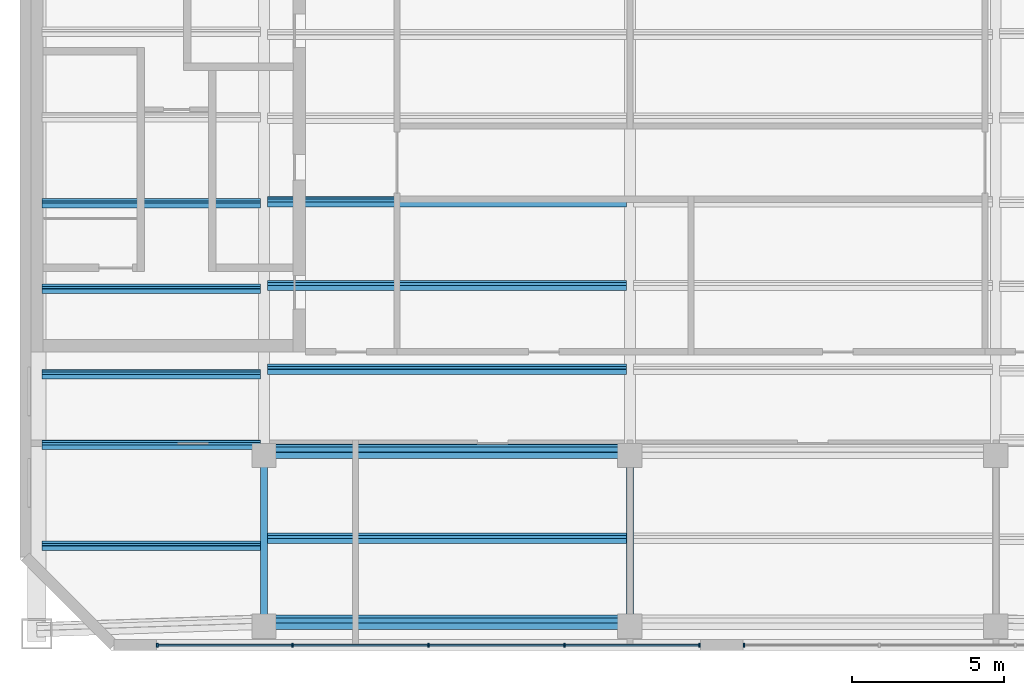
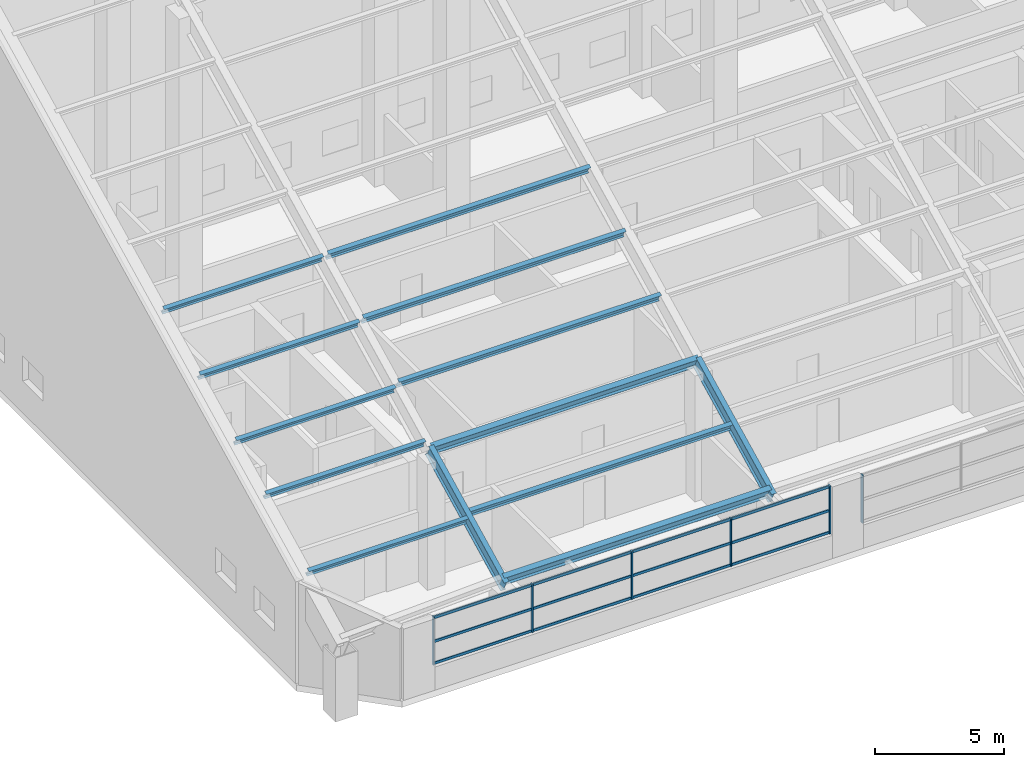
# One storey, part 4 of 28: 31 members, 2 elements without a shape of their own.
"""IFC4 building model written with IfcOpenShell, lengths in metres."""

from ifc_helpers import new_model, si_unit, direction, frame, origin, origin_2d, place, context, subcontext, project, spatial, rectangle, i_section, extrude, material, material_profile, profile_set, type_object, element, aggregate, save


model = new_model("IFC4")

# Units and contexts
model_context = context("Model", 3, precision=1e-05, world=origin(), true_north=direction((0.0, 1.0)))
body_context = subcontext(model_context, "Body", "Model", "MODEL_VIEW")
ifc_project = project(units=[si_unit("LENGTHUNIT", "METRE"), si_unit("AREAUNIT", "SQUARE_METRE"), si_unit("VOLUMEUNIT", "CUBIC_METRE"), si_unit("PLANEANGLEUNIT", "RADIAN"), si_unit("MASSUNIT", "GRAM", prefix="KILO")], contexts=[model_context])

# Site, building, storey
site_placement = place(None, origin())
site = spatial("IfcSite", under=ifc_project, at=site_placement, CompositionType="ELEMENT")
building_placement = place(site_placement, origin())
building = spatial("IfcBuilding", under=site, at=building_placement, Name="Tuart Gate Housing", CompositionType="ELEMENT")
storey_placement = place(building_placement, frame((0.0, 0.0, 243.89990234375)))
storey = spatial("IfcBuildingStorey", under=building, at=storey_placement, Name="L68", CompositionType="ELEMENT", Elevation=243.89990234375)

# Members
ifc_material_1 = material(Name="Steel Grade 350", Category="steel")
ifc_material_profile_1 = material_profile(ifc_material_1, i_section(OverallWidth=0.22900390625, OverallDepth=0.612060546875, WebThickness=0.011962890625, FlangeThickness=0.01953125, at=origin_2d()), Name="610UB125")
ifc_profile_set_1 = profile_set([ifc_material_profile_1], Name="Steel Grade 350")
member_type_1 = type_object("IfcMemberType", Name="Crown purlin 610 UB125 (11.5-13.5 m)", PredefinedType="PURLIN", material=ifc_profile_set_1)
for number, where, z_axis, x_axis, name in (
    (1, (40.0, 54.936767578125, 3.426513671875), (1.0, 0.0, 0.0), (0.0, 0.89442680992, 0.44721435766), "Crown purlin 4"),
    (2, (40.0, 60.536865234375, 6.226318359375), (1.0, 0.0, 0.0), (0.0, 0.89442680992, 0.44721435766), "Crown purlin 16"),
):
    element("IfcMember", number, at=place(storey_placement, frame(where, z_axis=z_axis, x_axis=x_axis)), inside=storey, type_object=member_type_1, Name=name, PredefinedType="PURLIN", context=body_context, shape_type="SweptSolid", body=[
        extrude(i_section(OverallWidth=0.22900390625, OverallDepth=0.612060546875, WebThickness=0.011962890625, FlangeThickness=0.01953125, at=origin_2d()), origin(), (0.0, 0.0, 1.0), 12.0),
    ])
ifc_material_2 = material(Name="Steel Grade 350", Category="steel")
ifc_material_profile_2 = material_profile(ifc_material_2, i_section(OverallWidth=0.22900390625, OverallDepth=0.612060546875, WebThickness=0.011962890625, FlangeThickness=0.01953125, at=origin_2d()), Name="610UB125")
ifc_profile_set_2 = profile_set([ifc_material_profile_2], Name="Steel Grade 350")
member_type_2 = type_object("IfcMemberType", Name="Crown rafter 610 UB125", PredefinedType="RAFTER", material=ifc_profile_set_2)
for number, where, z_axis, x_axis, name in (
    (3, (40.0, 54.6630859375, 3.28955078125), (0.0, 0.89443462622, 0.447198724751), (-1.0, 0.0, 0.0), "Crown rafter 2"),
    (4, (52.0, 54.6630859375, 3.28955078125), (0.0, 0.89443462622, 0.447198724751), (-1.0, 0.0, 0.0), "Crown rafter 5"),
):
    element("IfcMember", number, at=place(storey_placement, frame(where, z_axis=z_axis, x_axis=x_axis)), inside=storey, type_object=member_type_2, Name=name, PredefinedType="RAFTER", context=body_context, shape_type="SweptSolid", body=[
        extrude(i_section(OverallWidth=0.22900390625, OverallDepth=0.612060546875, WebThickness=0.011962890625, FlangeThickness=0.01953125, at=origin_2d()), origin(), (0.0, 0.0, 1.0), 6.567138671875),
    ])
ifc_material_3 = material(Name="Steel Grade 350", Category="steel")
ifc_material_profile_3 = material_profile(ifc_material_3, i_section(OverallWidth=0.1708984375, OverallDepth=0.35205078125, WebThickness=0.0068359375, FlangeThickness=0.009765625, at=origin_2d()), Name="360UB44.7")
ifc_profile_set_3 = profile_set([ifc_material_profile_3], Name="Steel Grade 350")
member_type_3 = type_object("IfcMemberType", Name="Crown secondary purlin 360 UB44.7", PredefinedType="PURLIN", material=ifc_profile_set_3)
for number, where, z_axis, x_axis, name in (
    (5, (32.72509765625, 57.437744140625, 4.822265625), (1.0, 0.0, 0.0), (0.0, 0.89442680992, 0.44721435766), "Crown secondary purlin 7"),
    (6, (32.72509765625, 60.746826171875, 6.476806640625), (1.0, 0.0, 0.0), (0.0, 0.89442680992, 0.44721435766), "Crown secondary purlin 22"),
    (7, (32.72509765625, 63.055908203125, 7.63134765625), (1.0, 0.0, 0.0), (0.0, 0.89442680992, 0.44721435766), "Crown secondary purlin 34"),
    (8, (32.72509765625, 65.864990234375, 9.035888671875), (1.0, 0.0, 0.0), (0.0, 0.89442680992, 0.44721435766), "Crown secondary purlin 43"),
    (9, (32.72509765625, 68.67431640625, 10.4404296875), (1.0, 0.0, 0.0), (0.0, 0.89442680992, 0.44721435766), "Crown secondary purlin 58"),
):
    element("IfcMember", number, at=place(storey_placement, frame(where, z_axis=z_axis, x_axis=x_axis)), inside=storey, type_object=member_type_3, Name=name, PredefinedType="PURLIN", context=body_context, shape_type="SweptSolid", body=[
        extrude(i_section(OverallWidth=0.1708984375, OverallDepth=0.35205078125, WebThickness=0.0068359375, FlangeThickness=0.009765625, at=origin_2d()), origin(), (0.0, 0.0, 1.0), 7.160400390625),
    ])
ifc_material_4 = material(Name="Steel Grade 350", Category="steel")
ifc_material_profile_4 = material_profile(ifc_material_4, i_section(OverallWidth=0.177978515625, OverallDepth=0.403076171875, WebThickness=0.007568359375, FlangeThickness=0.010986328125, at=origin_2d()), Name="410UB53.7")
ifc_profile_set_4 = profile_set([ifc_material_profile_4], Name="Steel Grade 350")
member_type_4 = type_object("IfcMemberType", Name="Crown secondary purlin 410 UB53.7", PredefinedType="PURLIN", material=ifc_profile_set_4)
for number, where, z_axis, x_axis, name in (
    (10, (40.114501953125, 57.690185546875, 4.919921875), (1.0, 0.0, 0.0), (0.0, 0.89442680992, 0.44721435766), "Crown secondary purlin 10"),
    (11, (40.114501953125, 63.23291015625, 7.69140625), (1.0, 0.0, 0.0), (0.0, 0.89442680992, 0.44721435766), "Crown secondary purlin 37"),
    (12, (40.114501953125, 65.975830078125, 9.062744140625), (1.0, 0.0, 0.0), (0.0, 0.89442680992, 0.44721435766), "Crown secondary purlin 46"),
    (13, (40.114501953125, 68.71875, 10.43408203125), (1.0, 0.0, 0.0), (0.0, 0.89442680992, 0.44721435766), "Crown secondary purlin 59"),
):
    element("IfcMember", number, at=place(storey_placement, frame(where, z_axis=z_axis, x_axis=x_axis)), inside=storey, type_object=member_type_4, Name=name, PredefinedType="PURLIN", context=body_context, shape_type="SweptSolid", body=[
        extrude(i_section(OverallWidth=0.177978515625, OverallDepth=0.403076171875, WebThickness=0.007568359375, FlangeThickness=0.010986328125, at=origin_2d()), origin(), (0.0, 0.0, 1.0), 11.77099609375),
    ])

# Curtain wall, members
ifc_material_5 = material(Name="Aluminium and clear glass", Category="aluminium")
curtain_wall_type = type_object("IfcCurtainWallType", Name="Crown clerestory glazing", PredefinedType="USERDEFINED", material=ifc_material_5)
curtain_wall_1_placement = place(storey_placement, origin())
curtain_wall_1 = element("IfcCurtainWall", 14, at=curtain_wall_1_placement, inside=storey, type_object=curtain_wall_type, Name="Crown clerestory glazing BLK-S L68", ObjectType="CROWN CLERESTORY GLAZING", PredefinedType="USERDEFINED")
ifc_material_6 = material(Name="Anodised aluminium", Category="aluminium")
ifc_material_profile_5 = material_profile(ifc_material_6, rectangle(XDim=0.06005859375, YDim=0.125, at=origin_2d()), Name="60x125")
ifc_profile_set_5 = profile_set([ifc_material_profile_5], Name="Anodised aluminium")
member_type_5 = type_object("IfcMemberType", Name="Mullion 60 x 125", PredefinedType="MULLION", material=ifc_profile_set_5)
member_1_placement = place(storey_placement, frame((36.504638671875, 54.179931640625, 1.10009765625), z_axis=(0.0, 0.0, 1.0), x_axis=(1.0, 0.0, 0.0)))
member_1 = element("IfcMember", 15, at=member_1_placement, type_object=member_type_5, Name="CW6 mullion 1", PredefinedType="MULLION", context=body_context, shape_type="SweptSolid", body=[
    extrude(rectangle(XDim=0.06005859375, YDim=0.125, at=origin_2d()), origin(), (0.0, 0.0, 1.0), 2.2900390625),
])
member_2_placement = place(storey_placement, frame((40.93408203125, 54.179931640625, 1.10009765625), z_axis=(0.0, 0.0, 1.0), x_axis=(1.0, 0.0, 0.0)))
member_2 = element("IfcMember", 16, at=member_2_placement, type_object=member_type_5, Name="CW6 mullion 2", PredefinedType="MULLION", context=body_context, shape_type="SweptSolid", body=[
    extrude(rectangle(XDim=0.06005859375, YDim=0.125, at=origin_2d()), origin(), (0.0, 0.0, 1.0), 2.2900390625),
])
member_3_placement = place(storey_placement, frame((45.3935546875, 54.179931640625, 1.10009765625), z_axis=(0.0, 0.0, 1.0), x_axis=(1.0, 0.0, 0.0)))
member_3 = element("IfcMember", 17, at=member_3_placement, type_object=member_type_5, Name="CW6 mullion 3", PredefinedType="MULLION", context=body_context, shape_type="SweptSolid", body=[
    extrude(rectangle(XDim=0.06005859375, YDim=0.125, at=origin_2d()), origin(), (0.0, 0.0, 1.0), 2.2900390625),
])
member_4_placement = place(storey_placement, frame((49.852783203125, 54.179931640625, 1.10009765625), z_axis=(0.0, 0.0, 1.0), x_axis=(1.0, 0.0, 0.0)))
member_4 = element("IfcMember", 18, at=member_4_placement, type_object=member_type_5, Name="CW6 mullion 4", PredefinedType="MULLION", context=body_context, shape_type="SweptSolid", body=[
    extrude(rectangle(XDim=0.06005859375, YDim=0.125, at=origin_2d()), origin(), (0.0, 0.0, 1.0), 2.2900390625),
])
member_5_placement = place(storey_placement, frame((54.2822265625, 54.179931640625, 1.10009765625), z_axis=(0.0, 0.0, 1.0), x_axis=(1.0, 0.0, 0.0)))
member_5 = element("IfcMember", 19, at=member_5_placement, type_object=member_type_5, Name="CW6 mullion 5", PredefinedType="MULLION", context=body_context, shape_type="SweptSolid", body=[
    extrude(rectangle(XDim=0.06005859375, YDim=0.125, at=origin_2d()), origin(), (0.0, 0.0, 1.0), 2.2900390625),
])

# Curtain wall, member
curtain_wall_2_placement = place(storey_placement, origin())
curtain_wall_2 = element("IfcCurtainWall", 20, at=curtain_wall_2_placement, inside=storey, type_object=curtain_wall_type, Name="Crown clerestory glazing BLK-S L68", ObjectType="CROWN CLERESTORY GLAZING", PredefinedType="USERDEFINED")
member_6_placement = place(storey_placement, frame((55.7421875, 54.179931640625, 1.10009765625), z_axis=(0.0, 0.0, 1.0), x_axis=(1.0, 0.0, 0.0)))
member_6 = element("IfcMember", 21, at=member_6_placement, type_object=member_type_5, Name="CW6 mullion 1", PredefinedType="MULLION", context=body_context, shape_type="SweptSolid", body=[
    extrude(rectangle(XDim=0.06005859375, YDim=0.125, at=origin_2d()), origin(), (0.0, 0.0, 1.0), 2.2900390625),
])
aggregate(curtain_wall_2, [member_6])

# Member
ifc_material_7 = material(Name="Anodised aluminium", Category="aluminium")
ifc_material_profile_6 = material_profile(ifc_material_7, rectangle(XDim=0.06005859375, YDim=0.1201171875, at=origin_2d()), Name="60x120")
ifc_profile_set_6 = profile_set([ifc_material_profile_6], Name="Anodised aluminium")
member_type_6 = type_object("IfcMemberType", Name="Transom 60 x 120", PredefinedType="USERDEFINED", material=ifc_profile_set_6)
member_7_placement = place(storey_placement, frame((36.53466796875, 54.179931640625, 1.16015625), z_axis=(1.0, 0.0, 0.0), x_axis=(0.0, 1.0, 0.0)))
member_7 = element("IfcMember", 22, at=member_7_placement, type_object=member_type_6, Name="CW6 transom 1.1", ObjectType="TRANSOM", PredefinedType="USERDEFINED", context=body_context, shape_type="SweptSolid", body=[
    extrude(rectangle(XDim=0.06005859375, YDim=0.1201171875, at=origin_2d()), origin(), (0.0, 0.0, 1.0), 4.369384765625),
])

member_8_placement = place(storey_placement, frame((36.53466796875, 54.179931640625, 2.2001953125), z_axis=(1.0, 0.0, 0.0), x_axis=(0.0, 1.0, 0.0)))
member_8 = element("IfcMember", 23, at=member_8_placement, type_object=member_type_6, Name="CW6 transom 1.2", ObjectType="TRANSOM", PredefinedType="USERDEFINED", context=body_context, shape_type="SweptSolid", body=[
    extrude(rectangle(XDim=0.06005859375, YDim=0.1201171875, at=origin_2d()), origin(), (0.0, 0.0, 1.0), 4.369384765625),
])

member_9_placement = place(storey_placement, frame((36.53466796875, 54.179931640625, 3.330078125), z_axis=(1.0, 0.0, 0.0), x_axis=(0.0, 1.0, 0.0)))
member_9 = element("IfcMember", 24, at=member_9_placement, type_object=member_type_6, Name="CW6 transom 1.3", ObjectType="TRANSOM", PredefinedType="USERDEFINED", context=body_context, shape_type="SweptSolid", body=[
    extrude(rectangle(XDim=0.06005859375, YDim=0.1201171875, at=origin_2d()), origin(), (0.0, 0.0, 1.0), 4.369384765625),
])

member_10_placement = place(storey_placement, frame((40.964111328125, 54.179931640625, 1.16015625), z_axis=(1.0, 0.0, 0.0), x_axis=(0.0, 1.0, 0.0)))
member_10 = element("IfcMember", 25, at=member_10_placement, type_object=member_type_6, Name="CW6 transom 2.1", ObjectType="TRANSOM", PredefinedType="USERDEFINED", context=body_context, shape_type="SweptSolid", body=[
    extrude(rectangle(XDim=0.06005859375, YDim=0.1201171875, at=origin_2d()), origin(), (0.0, 0.0, 1.0), 4.3994140625),
])

member_11_placement = place(storey_placement, frame((40.964111328125, 54.179931640625, 2.2001953125), z_axis=(1.0, 0.0, 0.0), x_axis=(0.0, 1.0, 0.0)))
member_11 = element("IfcMember", 26, at=member_11_placement, type_object=member_type_6, Name="CW6 transom 2.2", ObjectType="TRANSOM", PredefinedType="USERDEFINED", context=body_context, shape_type="SweptSolid", body=[
    extrude(rectangle(XDim=0.06005859375, YDim=0.1201171875, at=origin_2d()), origin(), (0.0, 0.0, 1.0), 4.3994140625),
])

member_12_placement = place(storey_placement, frame((40.964111328125, 54.179931640625, 3.330078125), z_axis=(1.0, 0.0, 0.0), x_axis=(0.0, 1.0, 0.0)))
member_12 = element("IfcMember", 27, at=member_12_placement, type_object=member_type_6, Name="CW6 transom 2.3", ObjectType="TRANSOM", PredefinedType="USERDEFINED", context=body_context, shape_type="SweptSolid", body=[
    extrude(rectangle(XDim=0.06005859375, YDim=0.1201171875, at=origin_2d()), origin(), (0.0, 0.0, 1.0), 4.3994140625),
])

member_13_placement = place(storey_placement, frame((45.42333984375, 54.179931640625, 1.16015625), z_axis=(1.0, 0.0, 0.0), x_axis=(0.0, 1.0, 0.0)))
member_13 = element("IfcMember", 28, at=member_13_placement, type_object=member_type_6, Name="CW6 transom 3.1", ObjectType="TRANSOM", PredefinedType="USERDEFINED", context=body_context, shape_type="SweptSolid", body=[
    extrude(rectangle(XDim=0.06005859375, YDim=0.1201171875, at=origin_2d()), origin(), (0.0, 0.0, 1.0), 4.3994140625),
])

member_14_placement = place(storey_placement, frame((45.42333984375, 54.179931640625, 2.2001953125), z_axis=(1.0, 0.0, 0.0), x_axis=(0.0, 1.0, 0.0)))
member_14 = element("IfcMember", 29, at=member_14_placement, type_object=member_type_6, Name="CW6 transom 3.2", ObjectType="TRANSOM", PredefinedType="USERDEFINED", context=body_context, shape_type="SweptSolid", body=[
    extrude(rectangle(XDim=0.06005859375, YDim=0.1201171875, at=origin_2d()), origin(), (0.0, 0.0, 1.0), 4.3994140625),
])

member_15_placement = place(storey_placement, frame((45.42333984375, 54.179931640625, 3.330078125), z_axis=(1.0, 0.0, 0.0), x_axis=(0.0, 1.0, 0.0)))
member_15 = element("IfcMember", 30, at=member_15_placement, type_object=member_type_6, Name="CW6 transom 3.3", ObjectType="TRANSOM", PredefinedType="USERDEFINED", context=body_context, shape_type="SweptSolid", body=[
    extrude(rectangle(XDim=0.06005859375, YDim=0.1201171875, at=origin_2d()), origin(), (0.0, 0.0, 1.0), 4.3994140625),
])

member_16_placement = place(storey_placement, frame((49.8828125, 54.179931640625, 1.16015625), z_axis=(1.0, 0.0, 0.0), x_axis=(0.0, 1.0, 0.0)))
member_16 = element("IfcMember", 31, at=member_16_placement, type_object=member_type_6, Name="CW6 transom 4.1", ObjectType="TRANSOM", PredefinedType="USERDEFINED", context=body_context, shape_type="SweptSolid", body=[
    extrude(rectangle(XDim=0.06005859375, YDim=0.1201171875, at=origin_2d()), origin(), (0.0, 0.0, 1.0), 4.369384765625),
])

member_17_placement = place(storey_placement, frame((49.8828125, 54.179931640625, 2.2001953125), z_axis=(1.0, 0.0, 0.0), x_axis=(0.0, 1.0, 0.0)))
member_17 = element("IfcMember", 32, at=member_17_placement, type_object=member_type_6, Name="CW6 transom 4.2", ObjectType="TRANSOM", PredefinedType="USERDEFINED", context=body_context, shape_type="SweptSolid", body=[
    extrude(rectangle(XDim=0.06005859375, YDim=0.1201171875, at=origin_2d()), origin(), (0.0, 0.0, 1.0), 4.369384765625),
])

member_18_placement = place(storey_placement, frame((49.8828125, 54.179931640625, 3.330078125), z_axis=(1.0, 0.0, 0.0), x_axis=(0.0, 1.0, 0.0)))
member_18 = element("IfcMember", 33, at=member_18_placement, type_object=member_type_6, Name="CW6 transom 4.3", ObjectType="TRANSOM", PredefinedType="USERDEFINED", context=body_context, shape_type="SweptSolid", body=[
    extrude(rectangle(XDim=0.06005859375, YDim=0.1201171875, at=origin_2d()), origin(), (0.0, 0.0, 1.0), 4.369384765625),
])

aggregate(curtain_wall_1, [member_1, member_2, member_3, member_4, member_5, member_7, member_8, member_9, member_10, member_11, member_12, member_13, member_14, member_15, member_16, member_17, member_18])

save(model, "model.ifc")
